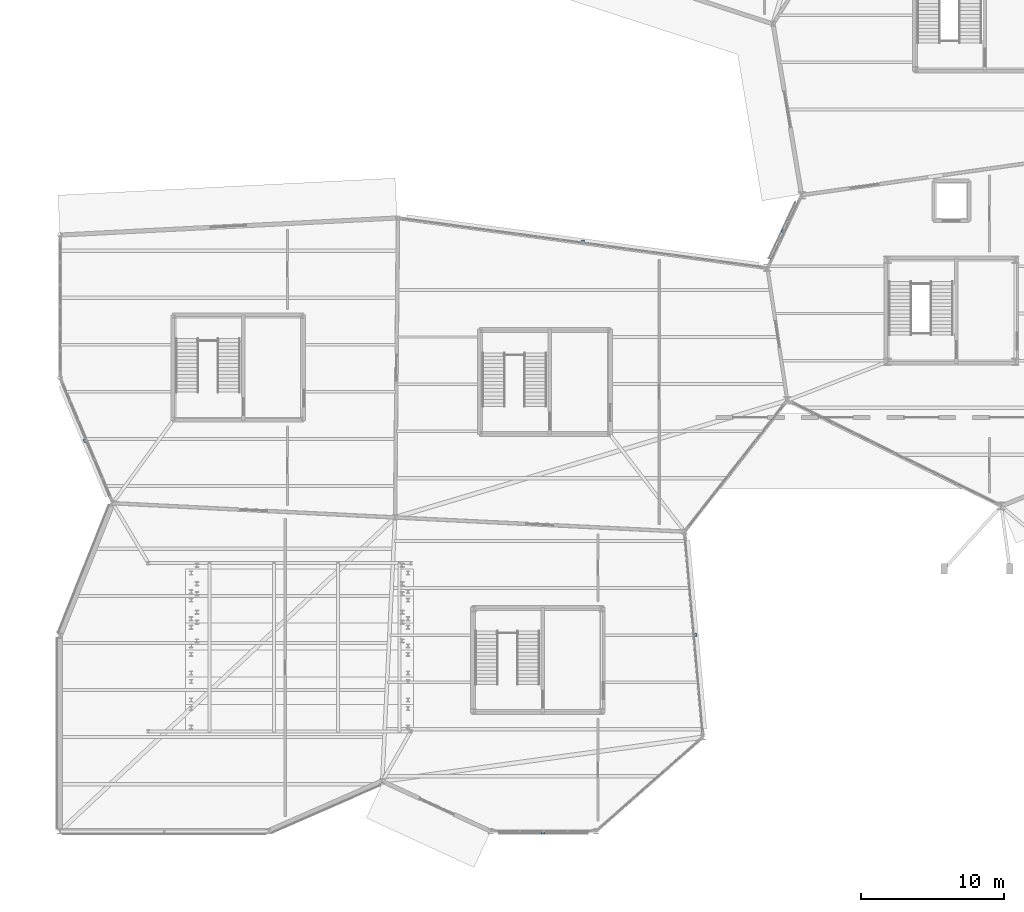
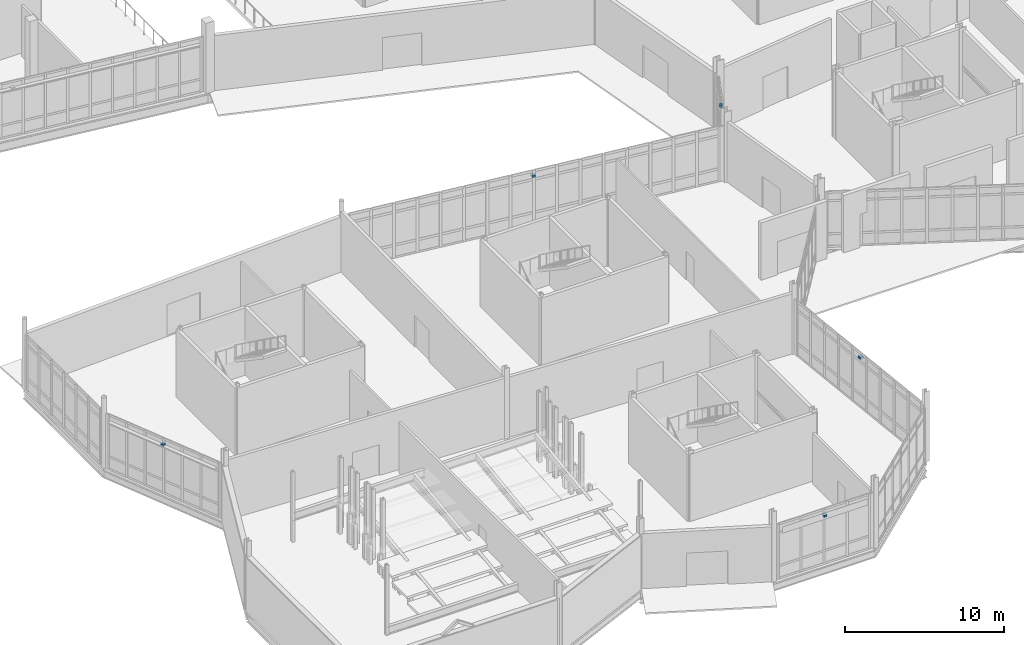
# One storey, part 103 of 113: 5 discrete accessories.
"""IFC4 building model written with IfcOpenShell, lengths in metres."""

from ifc_helpers import new_model, si_unit, direction, frame, origin, origin_2d, place, context, subcontext, project, spatial, rectangle, extrude, material, type_object, element, save


model = new_model("IFC4")

# Units and contexts
model_context = context("Model", 3, precision=1e-05, world=origin(), true_north=direction((0.0, 1.0)))
body_context = subcontext(model_context, "Body", "Model", "MODEL_VIEW")
ifc_project = project(units=[si_unit("LENGTHUNIT", "METRE"), si_unit("AREAUNIT", "SQUARE_METRE"), si_unit("VOLUMEUNIT", "CUBIC_METRE"), si_unit("PLANEANGLEUNIT", "RADIAN"), si_unit("MASSUNIT", "GRAM", prefix="KILO")], contexts=[model_context])

# Site, building, storey
site_placement = place(None, origin())
site = spatial("IfcSite", under=ifc_project, at=site_placement, CompositionType="ELEMENT")
building_placement = place(site_placement, origin())
building = spatial("IfcBuilding", under=site, at=building_placement, Name="Tameran Prism Museum", CompositionType="ELEMENT")
storey_placement = place(building_placement, origin())
storey = spatial("IfcBuildingStorey", under=building, at=storey_placement, Name="L00", CompositionType="ELEMENT", Elevation=0.0)

# Discrete accessories
ifc_material = material(Name="Galvanized Steel Grade 350 (350 MPa)", Category="steel")
discrete_accessory_type = type_object("IfcDiscreteAccessoryType", Name="DA-BRK-STL", PredefinedType="BRACKET", material=ifc_material)
for number, where, z_axis, x_axis, name in (
    (1, (50.72802734375, 42.083984375, 3.68994140625), (0.0, 0.0, 1.0), (0.425621362969, 0.90490135119, 0.0), "Facade Sunshade Bracket BK-005"),
    (2, (33.89990234375, -0.080078125, 3.68994140625), (0.0, 0.0, 1.0), (-1.0, 0.0, 0.0), "Facade Sunshade Bracket BK-012"),
    (3, (44.532958984375, 13.777099609375, 3.68994140625), (0.0, 0.0, 1.0), (0.089937299699, -0.995947429397, 0.0), "Facade Sunshade Bracket BK-013"),
    (4, (1.764892578125, 27.39697265625, 3.68994140625), (0.0, 0.0, 1.0), (-0.387676476022, 0.921795503319, 0.0), "Facade Sunshade Bracket BK-014"),
    (5, (36.662109375, 41.3291015625, 3.68994140625), (0.0, 0.0, 1.0), (0.990983199715, -0.133986185418, 0.0), "Facade Sunshade Bracket BK-015"),
):
    element("IfcDiscreteAccessory", number, at=place(storey_placement, frame(where, z_axis=z_axis, x_axis=x_axis)), inside=storey, type_object=discrete_accessory_type, Name=name, PredefinedType="BRACKET", context=body_context, shape_type="SweptSolid", body=[
        extrude(rectangle(XDim=0.239990234375, YDim=0.239990234375, at=origin_2d()), origin(), (0.0, 0.0, 1.0), 0.159912109375),
    ])

save(model, "model.ifc")
